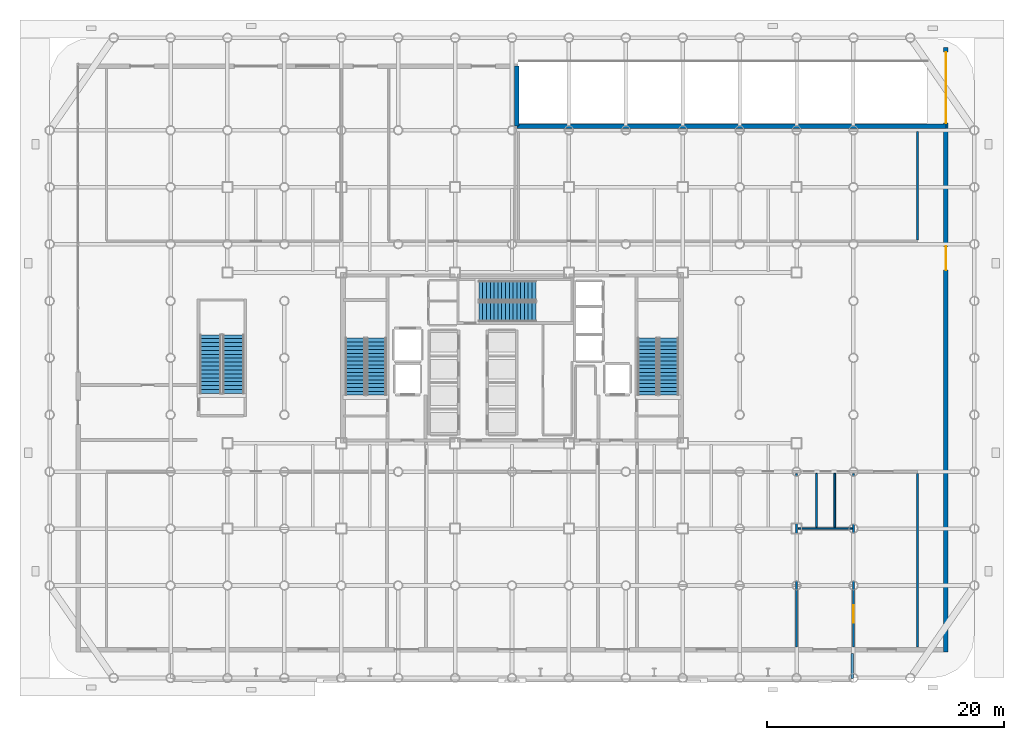
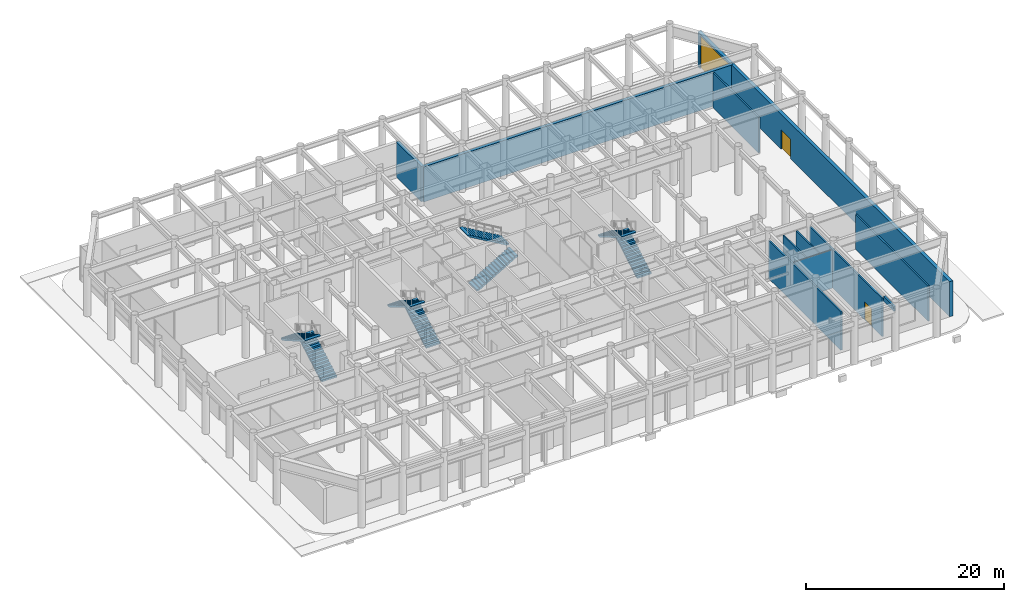
# One storey, part 19 of 23: 11 walls, 8 stair flights, 3 doors, 3 openings, 4 elements without a shape of their own.
"""IFC4 building model written with IfcOpenShell, lengths in metres."""

from ifc_helpers import new_model, si_unit, direction, frame, frame_2d, origin, place, context, subcontext, project, spatial, polyline, rectangle, outline, extrude, material, layer, layer_set, type_object, element, fill, aggregate, save


model = new_model("IFC4")

# Units and contexts
model_context = context("Model", 3, precision=1e-05, world=origin(), true_north=direction((0.0, 1.0)))
body_context = subcontext(model_context, "Body", "Model", "MODEL_VIEW")
ifc_project = project(units=[si_unit("LENGTHUNIT", "METRE"), si_unit("AREAUNIT", "SQUARE_METRE"), si_unit("VOLUMEUNIT", "CUBIC_METRE"), si_unit("PLANEANGLEUNIT", "RADIAN"), si_unit("MASSUNIT", "GRAM", prefix="KILO")], contexts=[model_context])

# Site, building, storey
site_placement = place(None, origin())
site = spatial("IfcSite", under=ifc_project, at=site_placement, CompositionType="ELEMENT")
building_placement = place(site_placement, origin())
building = spatial("IfcBuilding", under=site, at=building_placement, Name="Kallvorn Hotel Tower", CompositionType="ELEMENT")
storey_placement = place(building_placement, origin())
storey = spatial("IfcBuildingStorey", under=building, at=storey_placement, Name="L00", CompositionType="ELEMENT", Elevation=0.0)

# Wall
ifc_material_1 = material(Name="Fire-rated double-layer acoustic gypsum drywall EI 60")
ifc_layer_1 = layer(ifc_material_1, 0.179931640625)
ifc_layer_set_1 = layer_set([ifc_layer_1], Name="WL_CORR_180")
wall_type_1 = type_object("IfcWallType", Name="WL_CORR_180", PredefinedType="PARTITIONING", material=ifc_layer_set_1)
wall_1_placement = place(storey_placement, frame((24.0, -24.39990234375, 0.0), z_axis=(0.0, 0.0, 1.0), x_axis=(0.0, 1.0, 0.0)))
element("IfcWall", 1, at=wall_1_placement, inside=storey, type_object=wall_type_1, Name="L00 Fire Command Centre Partition", PredefinedType="PARTITIONING", context=body_context, shape_type="SweptSolid", body=[
    extrude(rectangle(XDim=14.64990234375, YDim=0.179931640625, at=frame_2d((7.324951171875, 0.0))), origin(), (0.0, 0.0, 1.0), 4.75),
])

# Wall, opening, door
wall_2_placement = place(storey_placement, frame((28.800048828125, -24.39990234375, 0.0), z_axis=(0.0, 0.0, 1.0), x_axis=(0.0, 1.0, 0.0)))
wall_2 = element("IfcWall", 2, at=wall_2_placement, inside=storey, type_object=wall_type_1, Name="L00 Fire Command Centre Partition", PredefinedType="PARTITIONING", context=body_context, shape_type="SweptSolid", body=[
    extrude(rectangle(XDim=14.64990234375, YDim=0.179931640625, at=frame_2d((7.324951171875, 0.0))), origin(), (0.0, 0.0, 1.0), 4.75),
])
opening_1_placement = place(wall_2_placement, frame((2.050048828125, 0.0, 0.0)))
opening_1 = element("IfcOpeningElement", 3, at=opening_1_placement, cuts=wall_2, Name="Opening PD1", PredefinedType="OPENING", context=body_context, shape_type="SweptSolid", body=[
    extrude(rectangle(XDim=1.5, YDim=2.199951171875, at=frame_2d((0.75, 1.10009765625))), frame((0.0, 0.104736328125, 0.0), z_axis=(0.0, -1.0, 0.0), x_axis=(1.0, 0.0, 0.0)), (0.0, 0.0, 1.0), 0.2099609375),
])
ifc_material_2 = material(Name="Galvanised painted steel fire-rated door assembly", Category="steel")
door_type_1 = type_object("IfcDoorType", Name="DR_PLANT_1500x2200", OperationType="DOUBLE_DOOR_SINGLE_SWING", PredefinedType="DOOR", material=ifc_material_2)
door_1_placement = place(opening_1_placement, origin())
door_1 = element("IfcDoor", 4, at=door_1_placement, inside=storey, type_object=door_type_1, Name="L00 Fire Command Centre Door", OperationType="DOUBLE_DOOR_SINGLE_SWING", OverallHeight=2.199951171875, OverallWidth=1.5, PredefinedType="DOOR", context=body_context, shape_type="SweptSolid", body=[
    extrude(rectangle(XDim=1.5, YDim=2.199951171875, at=frame_2d((0.75, 1.10009765625))), frame((0.0, 0.02490234375, 0.0), z_axis=(0.0, -1.0, 0.0), x_axis=(1.0, 0.0, 0.0)), (0.0, 0.0, 1.0), 0.050048828125),
])
fill(opening_1, door_1)

# Walls
wall_3_placement = place(storey_placement, frame((34.199951171875, -24.39990234375, 0.0), z_axis=(0.0, 0.0, 1.0), x_axis=(0.0, 1.0, 0.0)))
element("IfcWall", 5, at=wall_3_placement, inside=storey, type_object=wall_type_1, Name="L00 South-East Arrival Concierge Foyer Partition", PredefinedType="PARTITIONING", context=body_context, shape_type="SweptSolid", body=[
    extrude(rectangle(XDim=14.64990234375, YDim=0.179931640625, at=frame_2d((7.324951171875, 0.0))), origin(), (0.0, 0.0, 1.0), 4.35009765625),
])
wall_4_placement = place(storey_placement, frame((34.199951171875, 9.93505859375, 0.0), z_axis=(0.0, 0.0, 1.0), x_axis=(0.0, 1.0, 0.0)))
element("IfcWall", 6, at=wall_4_placement, inside=storey, type_object=wall_type_1, Name="L00 Observatory Express Ticketing Concourse Partition", PredefinedType="PARTITIONING", context=body_context, shape_type="SweptSolid", body=[
    extrude(rectangle(XDim=9.1650390625, YDim=0.179931640625, at=frame_2d((4.58251953125, 0.0))), origin(), (0.0, 0.0, 1.0), 4.35009765625),
])
ifc_material_3 = material(Name="Precast basalt-clad insulated concrete wall C40/50", Category="masonry")
ifc_layer_2 = layer(ifc_material_3, 0.3798828125)
ifc_layer_set_2 = layer_set([ifc_layer_2], Name="WL_EXT_PODIUM_380")
wall_type_2 = type_object("IfcWallType", Name="WL_EXT_PODIUM_380", PredefinedType="SOLIDWALL", material=ifc_layer_set_2)
wall_5_placement = place(storey_placement, frame((0.419921875, 19.550048828125, 0.0), z_axis=(0.0, 0.0, 1.0), x_axis=(1.0, 0.0, 0.0)))
element("IfcWall", 7, at=wall_5_placement, inside=storey, type_object=wall_type_2, Name="L00 North-East Ramp Well Enclosure Wall", PredefinedType="SOLIDWALL", context=body_context, shape_type="SweptSolid", body=[
    extrude(rectangle(XDim=36.18017578125, YDim=0.3798828125, at=frame_2d((18.090087890625, 0.0))), origin(), (0.0, 0.0, 1.0), 4.35009765625),
])
wall_6_placement = place(storey_placement, frame((0.419921875, 19.550048828125, 0.0), z_axis=(0.0, 0.0, 1.0), x_axis=(0.0, 1.0, 0.0)))
element("IfcWall", 8, at=wall_6_placement, inside=storey, type_object=wall_type_2, Name="L00 North Ramp Return Wall", PredefinedType="SOLIDWALL", context=body_context, shape_type="SweptSolid", body=[
    extrude(rectangle(XDim=5.050048828125, YDim=0.3798828125, at=frame_2d((2.52490234375, 0.0))), origin(), (0.0, 0.0, 1.0), 4.35009765625),
])

# Wall, openings, doors
wall_7_placement = place(storey_placement, frame((36.60009765625, 26.199951171875, 0.0), z_axis=(0.0, 0.0, 1.0), x_axis=(0.0, -1.0, 0.0)))
wall_7 = element("IfcWall", 9, at=wall_7_placement, inside=storey, type_object=wall_type_2, Name="L00 East Vehicle Ramp and Exit Wall", PredefinedType="SOLIDWALL", context=body_context, shape_type="SweptSolid", body=[
    extrude(rectangle(XDim=50.989990234375, YDim=0.3798828125, at=frame_2d((25.4951171875, 0.0))), origin(), (0.0, 0.0, 1.0), 4.35009765625),
])
opening_2_placement = place(wall_7_placement, frame((16.800048828125, 0.0, 0.0)))
opening_2 = element("IfcOpeningElement", 10, at=opening_2_placement, cuts=wall_7, Name="Opening ED10", PredefinedType="OPENING", context=body_context, shape_type="SweptSolid", body=[
    extrude(rectangle(XDim=2.0, YDim=2.39990234375, at=frame_2d((1.0, 1.199951171875))), frame((0.0, 0.204833984375, 0.0), z_axis=(0.0, -1.0, 0.0), x_axis=(1.0, 0.0, 0.0)), (0.0, 0.0, 1.0), 0.409912109375),
])
opening_3_placement = place(wall_7_placement, frame((0.39990234375, 0.0, 0.0)))
opening_3 = element("IfcOpeningElement", 11, at=opening_3_placement, cuts=wall_7, Name="Opening VG01", PredefinedType="OPENING", context=body_context, shape_type="SweptSolid", body=[
    extrude(rectangle(XDim=6.0, YDim=4.10009765625, at=frame_2d((3.0, 2.050048828125))), frame((0.0, 0.204833984375, 0.0), z_axis=(0.0, -1.0, 0.0), x_axis=(1.0, 0.0, 0.0)), (0.0, 0.0, 1.0), 0.409912109375),
])
ifc_material_4 = material(Name="Thermally broken black-anodised aluminium AA 6063-T6", Category="aluminium")
door_type_2 = type_object("IfcDoorType", Name="DR_EXIT_DBL_2000x2400", OperationType="DOUBLE_DOOR_SINGLE_SWING", PredefinedType="DOOR", material=ifc_material_4)
door_2_placement = place(opening_2_placement, origin())
door_2 = element("IfcDoor", 12, at=door_2_placement, inside=storey, type_object=door_type_2, Name="East Stair Discharge Exit Door ED10", OperationType="DOUBLE_DOOR_SINGLE_SWING", OverallHeight=2.39990234375, OverallWidth=2.0, PredefinedType="DOOR", context=body_context, shape_type="SweptSolid", body=[
    extrude(rectangle(XDim=2.0, YDim=2.39990234375, at=frame_2d((1.0, 1.199951171875))), frame((0.0, 0.02490234375, 0.0), z_axis=(0.0, -1.0, 0.0), x_axis=(1.0, 0.0, 0.0)), (0.0, 0.0, 1.0), 0.050048828125),
])
fill(opening_2, door_2)
ifc_material_5 = material(Name="Galvanised painted steel S275JR balustrade", Category="steel")
door_type_3 = type_object("IfcDoorType", Name="GT_RAMP_6000x4100", OperationType="ROLLINGUP", PredefinedType="GATE", material=ifc_material_5)
door_3_placement = place(opening_3_placement, origin())
door_3 = element("IfcDoor", 13, at=door_3_placement, inside=storey, type_object=door_type_3, Name="Car Park Vehicle Ramp Street Shutter Gate VG01", OperationType="ROLLINGUP", OverallHeight=4.10009765625, OverallWidth=6.0, PredefinedType="GATE", context=body_context, shape_type="SweptSolid", body=[
    extrude(rectangle(XDim=6.0, YDim=4.10009765625, at=frame_2d((3.0, 2.050048828125))), frame((0.0, 0.02490234375, 0.0), z_axis=(0.0, -1.0, 0.0), x_axis=(1.0, 0.0, 0.0)), (0.0, 0.0, 1.0), 0.050048828125),
])
fill(opening_3, door_3)

# Walls
ifc_material_6 = material(Name="Concrete C40/50", Category="concrete")
ifc_layer_3 = layer(ifc_material_6, 0.219970703125)
ifc_layer_set_3 = layer_set([ifc_layer_3], Name="WL_PARAPET_220")
wall_type_3 = type_object("IfcWallType", Name="WL_PARAPET_220", PredefinedType="PARAPET", material=ifc_layer_set_3)
wall_8_placement = place(storey_placement, frame((28.68994140625, -27.050048828125, 4.780029296875), z_axis=(0.0, 0.0, 1.0), x_axis=(0.0, 1.0, 0.0)))
element("IfcWall", 14, at=wall_8_placement, inside=storey, type_object=wall_type_3, Name="L00 Porte-Cochere Canopy Fascia Parapet 4", PredefinedType="PARAPET", context=body_context, shape_type="SweptSolid", body=[
    extrude(rectangle(XDim=2.10009765625, YDim=0.219970703125, at=frame_2d((1.050048828125, 0.0))), origin(), (0.0, 0.0, 1.0), 0.599853515625),
])
ifc_material_7 = material(Name="Moisture-resistant acoustic plumbing chase wall EI 60")
ifc_layer_4 = layer(ifc_material_7, 0.139892578125)
ifc_layer_set_4 = layer_set([ifc_layer_4], Name="WL_PLUMB_140")
wall_type_4 = type_object("IfcWallType", Name="WL_PLUMB_140", PredefinedType="PLUMBINGWALL", material=ifc_layer_set_4)
for number, where, z_axis, x_axis, name in (
    (15, (24.14990234375, -14.39990234375, 0.0), (0.0, 0.0, 1.0), (1.0, 0.0, 0.0), "L00 Public Male Restroom WC Partition"),
    (16, (25.68994140625, -14.280029296875, 0.0), (0.0, 0.0, 1.0), (0.0, 1.0, 0.0), "L00 Public Female Restroom WC Partition"),
    (17, (27.22998046875, -14.280029296875, 0.0), (0.0, 0.0, 1.0), (0.0, 1.0, 0.0), "L00 Accessible Restroom WC Partition"),
):
    element("IfcWall", number, at=place(storey_placement, frame(where, z_axis=z_axis, x_axis=x_axis)), inside=storey, type_object=wall_type_4, Name=name, PredefinedType="PLUMBINGWALL", context=body_context, shape_type="SweptSolid", body=[
        extrude(rectangle(XDim=4.530029296875, YDim=0.139892578125, at=frame_2d((2.26513671875, 0.0))), origin(), (0.0, 0.0, 1.0), 4.75),
    ])

# Stair, stair flights
ifc_material_8 = material(Name="Precast concrete C40/50", Category="concrete")
stair_type_1 = type_object("IfcStairType", Name="STR_CORE_DOGLEG", PredefinedType="HALF_TURN_STAIR", material=ifc_material_8)
stair_1_placement = place(storey_placement, origin())
stair_1 = element("IfcStair", 18, at=stair_1_placement, inside=storey, type_object=stair_type_1, Name="L00 Exit stair ST1", PredefinedType="HALF_TURN_STAIR")
ifc_material_9 = material(Name="Precast concrete C40/50", Category="concrete")
stair_flight_type_1 = type_object("IfcStairFlightType", Name="FLT_CORE_1660", PredefinedType="STRAIGHT", material=ifc_material_9)
stair_flight_1_placement = place(storey_placement, frame((-11.429931640625, -3.139892578125, 0.0), z_axis=(0.0, 0.0, 1.0), x_axis=(0.0, 1.0, 0.0)))
stair_flight_1 = element("IfcStairFlight", 19, at=stair_flight_1_placement, type_object=stair_flight_type_1, Name="ST1 flight 1", NumberOfRisers=16, NumberOfTreads=15, PredefinedType="STRAIGHT", RiserHeight=0.1875, TreadLength=0.32, context=body_context, shape_type="SweptSolid", body=[
    extrude(outline(polyline([(0.0, 0.0), (0.0, 0.1875), (0.320068359375, 0.1875), (0.320068359375, 0.375), (0.639892578125, 0.375), (0.639892578125, 0.5625), (0.9599609375, 0.5625), (0.9599609375, 0.75), (1.280029296875, 0.75), (1.280029296875, 0.9375), (1.60009765625, 0.9375), (1.60009765625, 1.125), (1.919921875, 1.125), (1.919921875, 1.3125), (2.239990234375, 1.3125), (2.239990234375, 1.5), (2.56005859375, 1.5), (2.56005859375, 1.6875), (2.8798828125, 1.6875), (2.8798828125, 1.875), (3.199951171875, 1.875), (3.199951171875, 2.0625), (3.52001953125, 2.0625), (3.52001953125, 2.25), (3.840087890625, 2.25), (3.840087890625, 2.4375), (4.159912109375, 2.4375), (4.159912109375, 2.625), (4.47998046875, 2.625), (4.47998046875, 2.8125), (4.800048828125, 2.8125), (4.800048828125, 3.0), (4.800048828125, 2.638671875), (0.296630859375, 0.0), (0.0, 0.0)])), frame((0.0, 0.830078125, 0.0), z_axis=(0.0, -1.0, 0.0), x_axis=(1.0, 0.0, 0.0)), (0.0, 0.0, 1.0), 1.659912109375),
])
stair_flight_2_placement = place(storey_placement, frame((-13.22998046875, 1.659912109375, 3.0), z_axis=(0.0, 0.0, 1.0), x_axis=(0.0, -1.0, 0.0)))
stair_flight_2 = element("IfcStairFlight", 20, at=stair_flight_2_placement, type_object=stair_flight_type_1, Name="ST1 flight 2", NumberOfRisers=16, NumberOfTreads=15, PredefinedType="STRAIGHT", RiserHeight=0.1875, TreadLength=0.32, context=body_context, shape_type="SweptSolid", body=[
    extrude(outline(polyline([(0.0, 0.0), (0.0, 0.1875), (0.320068359375, 0.1875), (0.320068359375, 0.375), (0.639892578125, 0.375), (0.639892578125, 0.5625), (0.9599609375, 0.5625), (0.9599609375, 0.75), (1.280029296875, 0.75), (1.280029296875, 0.9375), (1.60009765625, 0.9375), (1.60009765625, 1.125), (1.919921875, 1.125), (1.919921875, 1.3125), (2.239990234375, 1.3125), (2.239990234375, 1.5), (2.56005859375, 1.5), (2.56005859375, 1.6875), (2.8798828125, 1.6875), (2.8798828125, 1.875), (3.199951171875, 1.875), (3.199951171875, 2.0625), (3.52001953125, 2.0625), (3.52001953125, 2.25), (3.840087890625, 2.25), (3.840087890625, 2.4375), (4.159912109375, 2.4375), (4.159912109375, 2.625), (4.47998046875, 2.625), (4.47998046875, 2.8125), (4.800048828125, 2.8125), (4.800048828125, 3.0), (4.800048828125, 2.638671875), (0.296630859375, 0.0), (0.0, 0.0)])), frame((0.0, 0.830078125, 0.0), z_axis=(0.0, -1.0, 0.0), x_axis=(1.0, 0.0, 0.0)), (0.0, 0.0, 1.0), 1.659912109375),
])
aggregate(stair_1, [stair_flight_1, stair_flight_2])

stair_2_placement = place(storey_placement, origin())
stair_2 = element("IfcStair", 21, at=stair_2_placement, inside=storey, type_object=stair_type_1, Name="L00 Exit stair ST2", PredefinedType="HALF_TURN_STAIR")
stair_flight_3_placement = place(storey_placement, frame((13.22998046875, -3.139892578125, 0.0), z_axis=(0.0, 0.0, 1.0), x_axis=(0.0, 1.0, 0.0)))
stair_flight_3 = element("IfcStairFlight", 22, at=stair_flight_3_placement, type_object=stair_flight_type_1, Name="ST2 flight 1", NumberOfRisers=16, NumberOfTreads=15, PredefinedType="STRAIGHT", RiserHeight=0.1875, TreadLength=0.32, context=body_context, shape_type="SweptSolid", body=[
    extrude(outline(polyline([(0.0, 0.0), (0.0, 0.1875), (0.320068359375, 0.1875), (0.320068359375, 0.375), (0.639892578125, 0.375), (0.639892578125, 0.5625), (0.9599609375, 0.5625), (0.9599609375, 0.75), (1.280029296875, 0.75), (1.280029296875, 0.9375), (1.60009765625, 0.9375), (1.60009765625, 1.125), (1.919921875, 1.125), (1.919921875, 1.3125), (2.239990234375, 1.3125), (2.239990234375, 1.5), (2.56005859375, 1.5), (2.56005859375, 1.6875), (2.8798828125, 1.6875), (2.8798828125, 1.875), (3.199951171875, 1.875), (3.199951171875, 2.0625), (3.52001953125, 2.0625), (3.52001953125, 2.25), (3.840087890625, 2.25), (3.840087890625, 2.4375), (4.159912109375, 2.4375), (4.159912109375, 2.625), (4.47998046875, 2.625), (4.47998046875, 2.8125), (4.800048828125, 2.8125), (4.800048828125, 3.0), (4.800048828125, 2.638671875), (0.296630859375, 0.0), (0.0, 0.0)])), frame((0.0, 0.830078125, 0.0), z_axis=(0.0, -1.0, 0.0), x_axis=(1.0, 0.0, 0.0)), (0.0, 0.0, 1.0), 1.659912109375),
])
stair_flight_4_placement = place(storey_placement, frame((11.429931640625, 1.659912109375, 3.0), z_axis=(0.0, 0.0, 1.0), x_axis=(0.0, -1.0, 0.0)))
stair_flight_4 = element("IfcStairFlight", 23, at=stair_flight_4_placement, type_object=stair_flight_type_1, Name="ST2 flight 2", NumberOfRisers=16, NumberOfTreads=15, PredefinedType="STRAIGHT", RiserHeight=0.1875, TreadLength=0.32, context=body_context, shape_type="SweptSolid", body=[
    extrude(outline(polyline([(0.0, 0.0), (0.0, 0.1875), (0.320068359375, 0.1875), (0.320068359375, 0.375), (0.639892578125, 0.375), (0.639892578125, 0.5625), (0.9599609375, 0.5625), (0.9599609375, 0.75), (1.280029296875, 0.75), (1.280029296875, 0.9375), (1.60009765625, 0.9375), (1.60009765625, 1.125), (1.919921875, 1.125), (1.919921875, 1.3125), (2.239990234375, 1.3125), (2.239990234375, 1.5), (2.56005859375, 1.5), (2.56005859375, 1.6875), (2.8798828125, 1.6875), (2.8798828125, 1.875), (3.199951171875, 1.875), (3.199951171875, 2.0625), (3.52001953125, 2.0625), (3.52001953125, 2.25), (3.840087890625, 2.25), (3.840087890625, 2.4375), (4.159912109375, 2.4375), (4.159912109375, 2.625), (4.47998046875, 2.625), (4.47998046875, 2.8125), (4.800048828125, 2.8125), (4.800048828125, 3.0), (4.800048828125, 2.638671875), (0.296630859375, 0.0), (0.0, 0.0)])), frame((0.0, 0.830078125, 0.0), z_axis=(0.0, -1.0, 0.0), x_axis=(1.0, 0.0, 0.0)), (0.0, 0.0, 1.0), 1.659912109375),
])
aggregate(stair_2, [stair_flight_3, stair_flight_4])

stair_3_placement = place(storey_placement, origin())
stair_3 = element("IfcStair", 24, at=stair_3_placement, inside=storey, type_object=stair_type_1, Name="L00 Exit stair ST3", PredefinedType="HALF_TURN_STAIR")
stair_flight_5_placement = place(storey_placement, frame((-2.7900390625, 3.8798828125, 0.0), z_axis=(0.0, 0.0, 1.0), x_axis=(1.0, 0.0, 0.0)))
stair_flight_5 = element("IfcStairFlight", 25, at=stair_flight_5_placement, type_object=stair_flight_type_1, Name="ST3 flight 1", NumberOfRisers=16, NumberOfTreads=15, PredefinedType="STRAIGHT", RiserHeight=0.1875, TreadLength=0.32, context=body_context, shape_type="SweptSolid", body=[
    extrude(outline(polyline([(0.0, 0.0), (0.0, 0.1875), (0.320068359375, 0.1875), (0.320068359375, 0.375), (0.639892578125, 0.375), (0.639892578125, 0.5625), (0.9599609375, 0.5625), (0.9599609375, 0.75), (1.280029296875, 0.75), (1.280029296875, 0.9375), (1.60009765625, 0.9375), (1.60009765625, 1.125), (1.919921875, 1.125), (1.919921875, 1.3125), (2.239990234375, 1.3125), (2.239990234375, 1.5), (2.56005859375, 1.5), (2.56005859375, 1.6875), (2.8798828125, 1.6875), (2.8798828125, 1.875), (3.199951171875, 1.875), (3.199951171875, 2.0625), (3.52001953125, 2.0625), (3.52001953125, 2.25), (3.840087890625, 2.25), (3.840087890625, 2.4375), (4.159912109375, 2.4375), (4.159912109375, 2.625), (4.47998046875, 2.625), (4.47998046875, 2.8125), (4.800048828125, 2.8125), (4.800048828125, 3.0), (4.800048828125, 2.638671875), (0.296630859375, 0.0), (0.0, 0.0)])), frame((0.0, 0.830078125, 0.0), z_axis=(0.0, -1.0, 0.0), x_axis=(1.0, 0.0, 0.0)), (0.0, 0.0, 1.0), 1.659912109375),
])
stair_flight_6_placement = place(storey_placement, frame((2.010009765625, 5.679931640625, 3.0), z_axis=(0.0, 0.0, 1.0), x_axis=(-1.0, 0.0, 0.0)))
stair_flight_6 = element("IfcStairFlight", 26, at=stair_flight_6_placement, type_object=stair_flight_type_1, Name="ST3 flight 2", NumberOfRisers=16, NumberOfTreads=15, PredefinedType="STRAIGHT", RiserHeight=0.1875, TreadLength=0.32, context=body_context, shape_type="SweptSolid", body=[
    extrude(outline(polyline([(0.0, 0.0), (0.0, 0.1875), (0.320068359375, 0.1875), (0.320068359375, 0.375), (0.639892578125, 0.375), (0.639892578125, 0.5625), (0.9599609375, 0.5625), (0.9599609375, 0.75), (1.280029296875, 0.75), (1.280029296875, 0.9375), (1.60009765625, 0.9375), (1.60009765625, 1.125), (1.919921875, 1.125), (1.919921875, 1.3125), (2.239990234375, 1.3125), (2.239990234375, 1.5), (2.56005859375, 1.5), (2.56005859375, 1.6875), (2.8798828125, 1.6875), (2.8798828125, 1.875), (3.199951171875, 1.875), (3.199951171875, 2.0625), (3.52001953125, 2.0625), (3.52001953125, 2.25), (3.840087890625, 2.25), (3.840087890625, 2.4375), (4.159912109375, 2.4375), (4.159912109375, 2.625), (4.47998046875, 2.625), (4.47998046875, 2.8125), (4.800048828125, 2.8125), (4.800048828125, 3.0), (4.800048828125, 2.638671875), (0.296630859375, 0.0), (0.0, 0.0)])), frame((0.0, 0.830078125, 0.0), z_axis=(0.0, -1.0, 0.0), x_axis=(1.0, 0.0, 0.0)), (0.0, 0.0, 1.0), 1.659912109375),
])
aggregate(stair_3, [stair_flight_5, stair_flight_6])

ifc_material_10 = material(Name="Precast concrete C40/50", Category="concrete")
stair_type_2 = type_object("IfcStairType", Name="STR_POD_DOGLEG", PredefinedType="HALF_TURN_STAIR", material=ifc_material_10)
stair_4_placement = place(storey_placement, origin())
stair_4 = element("IfcStair", 27, at=stair_4_placement, inside=storey, type_object=stair_type_2, Name="L00 Exit stair ST4", PredefinedType="HALF_TURN_STAIR")
ifc_material_11 = material(Name="Precast concrete C40/50", Category="concrete")
stair_flight_type_2 = type_object("IfcStairFlightType", Name="FLT_POD_1800", PredefinedType="STRAIGHT", material=ifc_material_11)
stair_flight_7_placement = place(storey_placement, frame((-23.5, -3.0, 0.0), z_axis=(0.0, 0.0, 1.0), x_axis=(0.0, 1.0, 0.0)))
stair_flight_7 = element("IfcStairFlight", 28, at=stair_flight_7_placement, type_object=stair_flight_type_2, Name="ST4 flight 1", NumberOfRisers=16, NumberOfTreads=15, PredefinedType="STRAIGHT", RiserHeight=0.1875, TreadLength=0.33, context=body_context, shape_type="SweptSolid", body=[
    extrude(outline(polyline([(0.0, 0.0), (0.0, 0.1875), (0.330078125, 0.1875), (0.330078125, 0.375), (0.659912109375, 0.375), (0.659912109375, 0.5625), (0.989990234375, 0.5625), (0.989990234375, 0.75), (1.320068359375, 0.75), (1.320068359375, 0.9375), (1.64990234375, 0.9375), (1.64990234375, 1.125), (1.97998046875, 1.125), (1.97998046875, 1.3125), (2.31005859375, 1.3125), (2.31005859375, 1.5), (2.639892578125, 1.5), (2.639892578125, 1.6875), (2.969970703125, 1.6875), (2.969970703125, 1.875), (3.300048828125, 1.875), (3.300048828125, 2.0625), (3.6298828125, 2.0625), (3.6298828125, 2.25), (3.9599609375, 2.25), (3.9599609375, 2.4375), (4.2900390625, 2.4375), (4.2900390625, 2.625), (4.6201171875, 2.625), (4.6201171875, 2.8125), (4.949951171875, 2.8125), (4.949951171875, 3.0), (4.949951171875, 2.64013671875), (0.303466796875, 0.0), (0.0, 0.0)])), frame((0.0, 0.89990234375, 0.0), z_axis=(0.0, -1.0, 0.0), x_axis=(1.0, 0.0, 0.0)), (0.0, 0.0, 1.0), 1.800048828125),
])
stair_flight_8_placement = place(storey_placement, frame((-25.43994140625, 1.949951171875, 3.0), z_axis=(0.0, 0.0, 1.0), x_axis=(0.0, -1.0, 0.0)))
stair_flight_8 = element("IfcStairFlight", 29, at=stair_flight_8_placement, type_object=stair_flight_type_2, Name="ST4 flight 2", NumberOfRisers=16, NumberOfTreads=15, PredefinedType="STRAIGHT", RiserHeight=0.1875, TreadLength=0.33, context=body_context, shape_type="SweptSolid", body=[
    extrude(outline(polyline([(0.0, 0.0), (0.0, 0.1875), (0.330078125, 0.1875), (0.330078125, 0.375), (0.659912109375, 0.375), (0.659912109375, 0.5625), (0.989990234375, 0.5625), (0.989990234375, 0.75), (1.320068359375, 0.75), (1.320068359375, 0.9375), (1.64990234375, 0.9375), (1.64990234375, 1.125), (1.97998046875, 1.125), (1.97998046875, 1.3125), (2.31005859375, 1.3125), (2.31005859375, 1.5), (2.639892578125, 1.5), (2.639892578125, 1.6875), (2.969970703125, 1.6875), (2.969970703125, 1.875), (3.300048828125, 1.875), (3.300048828125, 2.0625), (3.6298828125, 2.0625), (3.6298828125, 2.25), (3.9599609375, 2.25), (3.9599609375, 2.4375), (4.2900390625, 2.4375), (4.2900390625, 2.625), (4.6201171875, 2.625), (4.6201171875, 2.8125), (4.949951171875, 2.8125), (4.949951171875, 3.0), (4.949951171875, 2.64013671875), (0.303466796875, 0.0), (0.0, 0.0)])), frame((0.0, 0.89990234375, 0.0), z_axis=(0.0, -1.0, 0.0), x_axis=(1.0, 0.0, 0.0)), (0.0, 0.0, 1.0), 1.800048828125),
])
aggregate(stair_4, [stair_flight_7, stair_flight_8])

save(model, "model.ifc")
